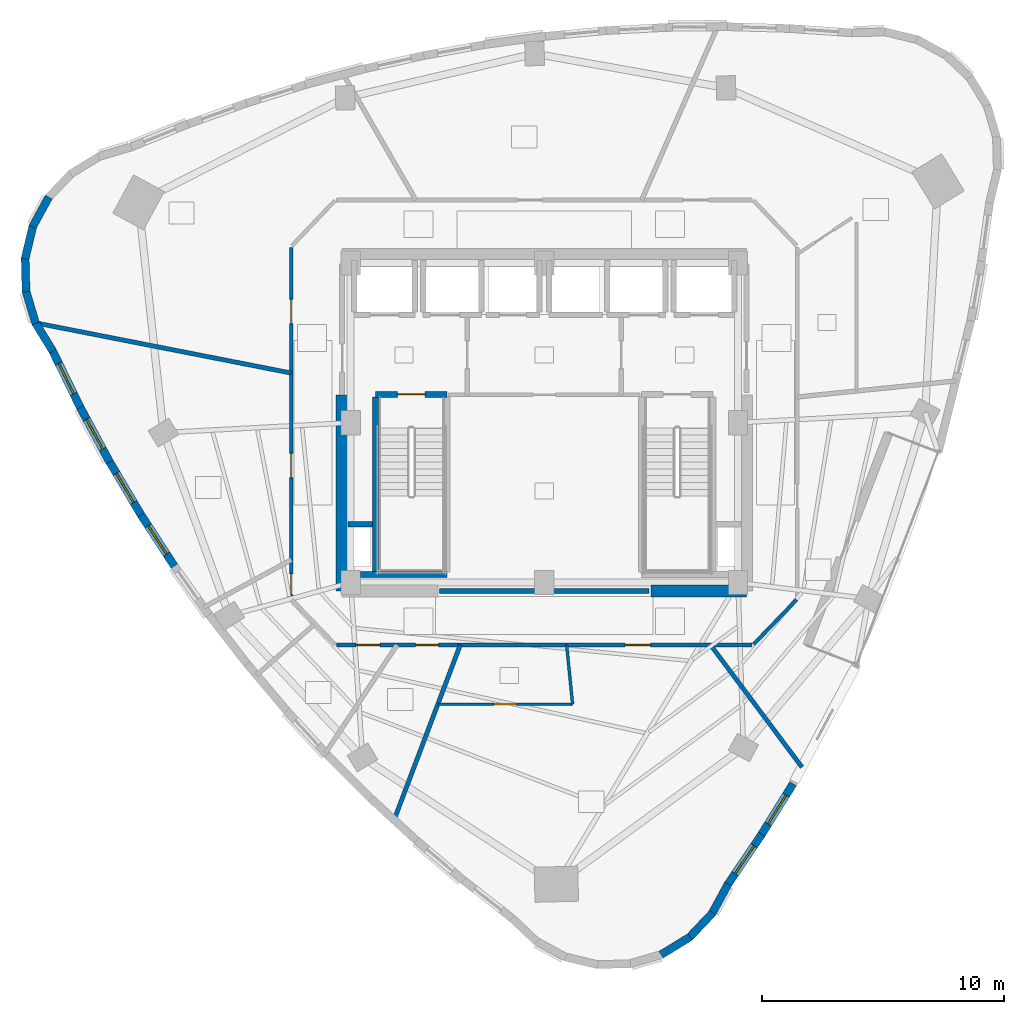
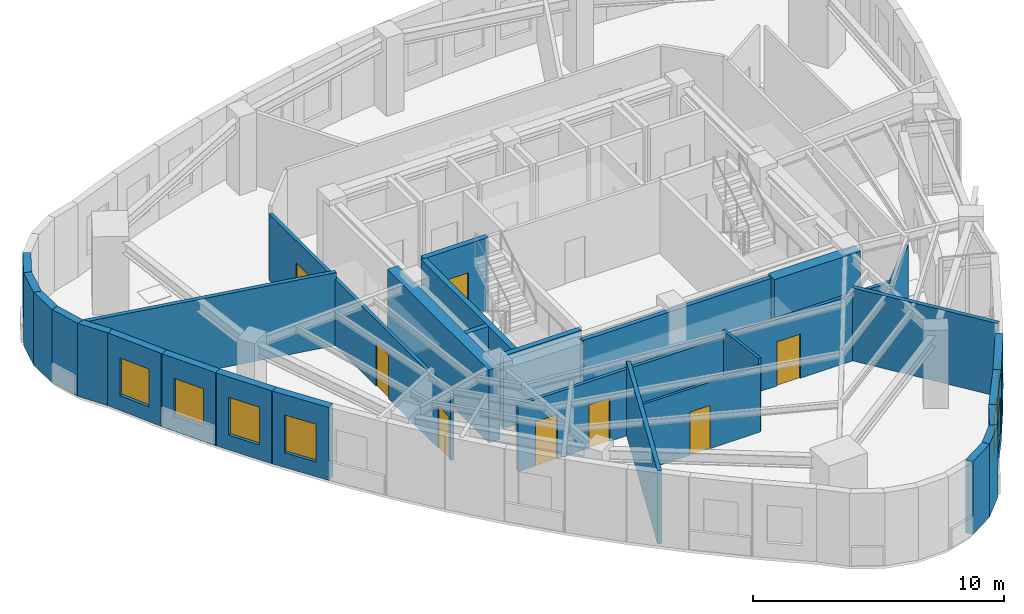
# One storey, part 4 of 10: 29 walls, 8 doors, 6 windows, 14 openings.
"""IFC4 building model written with IfcOpenShell, lengths in metres."""

import ifcopenshell
import ifcopenshell.guid

model = None  # the IFC model being written
_history = None  # IfcOwnerHistory: only IFC2X3 demands one
_inside = {}  # id of a spatial element -> (the spatial element, [elements in it])
_under = {}  # id of a project, library or spatial element -> (it, [spatial elements below it])
_declared = {}  # id of a project -> (the project, [libraries it declares])
_typed = {}  # id of a type object -> (the type object, [elements of that type])
_made_of = {}  # id of a material, layer set ... -> (it, [elements and type objects made of it])


def new_model(schema):
    """Start an empty IFC model of exactly this schema.

    Asked for "IFC4X3", IfcOpenShell would pick the latest addendum, in which some entities
    have other attributes; the version numbers below select the first issue.
    IFC2X3 requires an IfcOwnerHistory on every rooted entity: one is made here for all.
    """
    global model, _history
    if schema == "IFC4X3":
        model = ifcopenshell.file(schema_version=(4, 3, 0, 0))
    else:
        model = ifcopenshell.file(schema=schema)
    _inside.clear()
    _under.clear()
    _declared.clear()
    _typed.clear()
    _made_of.clear()
    _history = None
    if model.schema == "IFC2X3":
        org = make("IfcOrganization", Name="unknown")
        user = make(
            "IfcPersonAndOrganization",
            ThePerson=make("IfcPerson", FamilyName="unknown"),
            TheOrganization=org,
        )
        app = make(
            "IfcApplication",
            ApplicationDeveloper=org,
            Version="unknown",
            ApplicationFullName="unknown",
            ApplicationIdentifier="unknown",
        )
        _history = make(
            "IfcOwnerHistory",
            OwningUser=user,
            OwningApplication=app,
            ChangeAction="ADDED",
            CreationDate=0,
        )
    return model


def make(cls, **values):
    """One entity of the class cls with the attributes given. An attribute that is None is left unset."""
    return model.create_entity(
        cls, **{name: value for name, value in values.items() if value is not None}
    )


def rooted(cls, **values):
    """An entity with a GlobalId (a new one), such as an element, a storey or a relation."""
    return make(cls, GlobalId=ifcopenshell.guid.new(), OwnerHistory=_history, **values)


def si_unit(unit_type, name, prefix=None):
    """IfcSIUnit, for example si_unit("LENGTHUNIT", "METRE", prefix="MILLI")."""
    return make("IfcSIUnit", UnitType=unit_type, Prefix=prefix, Name=name)


def assignment(units):
    """IfcUnitAssignment: the units of a project."""
    return None if units is None else make("IfcUnitAssignment", Units=units)


def point(xyz):
    """IfcCartesianPoint."""
    return None if xyz is None else make("IfcCartesianPoint", Coordinates=xyz)


def direction(xyz):
    """IfcDirection."""
    return None if xyz is None else make("IfcDirection", DirectionRatios=xyz)


def frame(location, z_axis=None, x_axis=None):
    """IfcAxis2Placement3D, a coordinate frame: its origin and axes. An axis left out is left unset."""
    return make(
        "IfcAxis2Placement3D",
        Location=point(location),
        Axis=direction(z_axis),
        RefDirection=direction(x_axis),
    )


def frame_2d(location, x_axis=None):
    """IfcAxis2Placement2D, a coordinate frame in the plane: its origin and x axis."""
    return make(
        "IfcAxis2Placement2D", Location=point(location), RefDirection=direction(x_axis)
    )


def origin():
    """The frame at (0, 0, 0) with its axes left unset."""
    return frame((0.0, 0.0, 0.0))


def place(relative_to, where):
    """IfcLocalPlacement: puts the frame where relative to a parent placement (None: the world)."""
    return make(
        "IfcLocalPlacement", PlacementRelTo=relative_to, RelativePlacement=where
    )


def context(
    kind, dimensions, precision=None, world=None, true_north=None, identifier=None
):
    """IfcGeometricRepresentationContext, for example the 3D "Model" context."""
    return make(
        "IfcGeometricRepresentationContext",
        ContextIdentifier=identifier,
        ContextType=kind,
        CoordinateSpaceDimension=dimensions,
        Precision=precision,
        WorldCoordinateSystem=world,
        TrueNorth=true_north,
    )


def subcontext(parent, identifier, kind, view, scale=None):
    """IfcGeometricRepresentationSubContext, for example "Body" below "Model"."""
    return make(
        "IfcGeometricRepresentationSubContext",
        ContextIdentifier=identifier,
        ContextType=kind,
        ParentContext=parent,
        TargetScale=scale,
        TargetView=view,
    )


def project(units=None, contexts=None):
    """IfcProject with its units and contexts."""
    return rooted(
        "IfcProject",
        Name="project",
        RepresentationContexts=contexts,
        UnitsInContext=assignment(units),
    )


def spatial(cls, under=None, at=None, **own):
    """A site, building, storey or space (cls), placed at a placement, below another one or the project."""
    s = rooted(cls, ObjectPlacement=at, **own)
    if under is not None:
        _under.setdefault(under.id(), (under, []))[1].append(s)
    return s


def profile(cls, at=None, kind="AREA", **sizes):
    """A parametric profile (cls). Its sizes go by their IFC names, for example OverallWidth=200.0."""
    return make(cls, ProfileType=kind, Position=at, **sizes)


def rectangle(**sizes):
    """IfcRectangleProfileDef."""
    return profile("IfcRectangleProfileDef", **sizes)


def extrude(swept, where, along, depth):
    """IfcExtrudedAreaSolid: the profile swept, set in the frame where, extruded along a direction by depth."""
    return make(
        "IfcExtrudedAreaSolid",
        SweptArea=swept,
        Position=where,
        ExtrudedDirection=direction(along),
        Depth=depth,
    )


def shape(context_of_items, identifier, shape_type, items):
    """IfcShapeRepresentation: the items that make up one representation, for example the "Body"."""
    return make(
        "IfcShapeRepresentation",
        ContextOfItems=context_of_items,
        RepresentationIdentifier=identifier,
        RepresentationType=shape_type,
        Items=items,
    )


def material(Name=None, Category=None):
    """IfcMaterial."""
    return make("IfcMaterial", Name=Name, Category=Category)


def layer(
    of_material, thickness, ventilated=None, Name=None, Category=None, Priority=None
):
    """IfcMaterialLayer: one layer of a wall or slab, of a material (None: an air gap)."""
    return make(
        "IfcMaterialLayer",
        Material=of_material,
        LayerThickness=thickness,
        IsVentilated=ventilated,
        Name=Name,
        Category=Category,
        Priority=Priority,
    )


def layer_set(layers, Name=None):
    """IfcMaterialLayerSet."""
    return make("IfcMaterialLayerSet", MaterialLayers=layers, LayerSetName=Name)


def made_of(thing, what):
    """Note that an element or type object is made of a material, layer set ...; save() writes the relation."""
    if what is not None:
        _made_of.setdefault(what.id(), (what, []))[1].append(thing)
    return thing


def type_object(cls, material=None, **own):
    """A type object (cls), such as IfcWallType, which elements share."""
    return made_of(rooted(cls, **own), material)


def element(
    cls,
    number,
    at=None,
    inside=None,
    cuts=None,
    type_object=None,
    material=None,
    context=None,
    identifier="Body",
    shape_type=None,
    held_by="IfcProductDefinitionShape",
    body=None,
    shapes=None,
    **own,
):
    """One element of the class cls, such as IfcWall. Its Tag is "e" and its number.

    at: its placement. inside: the storey or other place that contains it. cuts: it is an
    opening in that element (IfcRelVoidsElement). A single representation is given by context,
    identifier, shape_type and body (its items); several are given by shapes. held_by: the class
    of the entity that holds the representations. save() writes the other relations.
    """
    e = rooted(cls, Tag="e%d" % number, ObjectPlacement=at, **own)
    if body is not None:
        shapes = [shape(context, identifier, shape_type, body)]
    if shapes is not None:
        e.Representation = make(held_by, Representations=shapes)
    if inside is not None:
        _inside.setdefault(inside.id(), (inside, []))[1].append(e)
    if cuts is not None:
        rooted(
            "IfcRelVoidsElement", RelatingBuildingElement=cuts, RelatedOpeningElement=e
        )
    if type_object is not None:
        _typed.setdefault(type_object.id(), (type_object, []))[1].append(e)
    return made_of(e, material)


def fill(opening, filler):
    """IfcRelFillsElement: the door or window that sits in an opening."""
    return rooted(
        "IfcRelFillsElement",
        RelatingOpeningElement=opening,
        RelatedBuildingElement=filler,
    )


def aggregate(whole, parts):
    """IfcRelAggregates: a whole, such as a stair, and the parts it consists of."""
    return rooted("IfcRelAggregates", RelatingObject=whole, RelatedObjects=parts)


def save(model, path):
    """Write the relations noted so far, then the file.

    IfcRelAggregates (storeys below a building ...), IfcRelContainedInSpatialStructure (elements
    in a storey), IfcRelDefinesByType, IfcRelAssociatesMaterial and IfcRelDeclares: one each for
    every whole, place, type object, material and project.
    """
    for whole, parts in _under.values():
        aggregate(whole, parts)
    for where, things in _inside.values():
        rooted(
            "IfcRelContainedInSpatialStructure",
            RelatedElements=things,
            RelatingStructure=where,
        )
    for kind, things in _typed.values():
        rooted("IfcRelDefinesByType", RelatedObjects=things, RelatingType=kind)
    for what, things in _made_of.values():
        rooted("IfcRelAssociatesMaterial", RelatedObjects=things, RelatingMaterial=what)
    for by, libraries in _declared.values():
        rooted("IfcRelDeclares", RelatingContext=by, RelatedDefinitions=libraries)
    model.write(path)


model = new_model("IFC4")

# Units and contexts
model_context = context("Model", 3, precision=1e-05, world=origin(), true_north=direction((0.0, 1.0)))
body_context = subcontext(model_context, "Body", "Model", "MODEL_VIEW")
ifc_project = project(units=[si_unit("LENGTHUNIT", "METRE"), si_unit("AREAUNIT", "SQUARE_METRE"), si_unit("VOLUMEUNIT", "CUBIC_METRE"), si_unit("PLANEANGLEUNIT", "RADIAN"), si_unit("MASSUNIT", "GRAM", prefix="KILO")], contexts=[model_context])

# Site, building, storey
site_placement = place(None, origin())
site = spatial("IfcSite", under=ifc_project, at=site_placement, CompositionType="ELEMENT")
building_placement = place(site_placement, origin())
building = spatial("IfcBuilding", under=site, at=building_placement, Name="Ndelora Gate Hotel", CompositionType="ELEMENT")
storey_placement = place(building_placement, frame((0.0, 0.0, 239.75)))
storey = spatial("IfcBuildingStorey", under=building, at=storey_placement, Name="L60", CompositionType="ELEMENT", Elevation=239.75)

# Walls
ifc_material_1 = material(Name="Acoustic Double-Stud Gypsum Assembly", Category="gypsum")
ifc_layer_1 = layer(ifc_material_1, 0.179931640625)
ifc_layer_set_1 = layer_set([ifc_layer_1], Name="Acoustic Double-Stud Gypsum Assembly")
wall_type_1 = type_object("IfcWallType", Name="WL-ACOUST-180", PredefinedType="PARTITIONING", material=ifc_layer_set_1)
wall_1_placement = place(storey_placement, frame((-3.470458984375, -9.179931640625, 0.0), z_axis=(0.0, 0.0, 1.0), x_axis=(-0.353618010817, -0.935389919994, 0.0)))
element("IfcWall", 1, at=wall_1_placement, inside=storey, type_object=wall_type_1, Name="L60 Interior Wall IW-3", PredefinedType="PARTITIONING", context=body_context, shape_type="SweptSolid", body=[
    extrude(rectangle(XDim=7.72900390625, YDim=0.179931640625, at=frame_2d((3.864501953125, 0.0))), origin(), (0.0, 0.0, 1.0), 3.550048828125),
])
wall_2_placement = place(storey_placement, frame((6.866943359375, -9.179931640625, 0.0), z_axis=(0.0, 0.0, 1.0), x_axis=(0.598983265995, -0.800761541945, 0.0)))
element("IfcWall", 2, at=wall_2_placement, inside=storey, type_object=wall_type_1, Name="L60 Interior Wall IW-3", PredefinedType="PARTITIONING", context=body_context, shape_type="SweptSolid", body=[
    extrude(rectangle(XDim=6.3037109375, YDim=0.179931640625, at=frame_2d((3.15185546875, 0.0))), origin(), (0.0, 0.0, 1.0), 3.550048828125),
])
wall_3_placement = place(storey_placement, frame((-10.449951171875, 2.0498046875, 0.0), z_axis=(0.0, 0.0, 1.0), x_axis=(-0.981304682167, 0.192460699252, 0.0)))
element("IfcWall", 3, at=wall_3_placement, inside=storey, type_object=wall_type_1, Name="L60 Interior Wall IW-3", PredefinedType="PARTITIONING", context=body_context, shape_type="SweptSolid", body=[
    extrude(rectangle(XDim=10.767333984375, YDim=0.179931640625, at=frame_2d((5.3837890625, 0.0))), origin(), (0.0, 0.0, 1.0), 3.550048828125),
])
ifc_material_2 = material(Name="Clay Brick Masonry", Category="masonry")
ifc_layer_2 = layer(ifc_material_2, 0.330078125)
ifc_layer_set_2 = layer_set([ifc_layer_2], Name="Clay Brick Masonry")
wall_type_2 = type_object("IfcWallType", Name="WL-BRICK-330", PredefinedType="SOLIDWALL", material=ifc_layer_set_2)
wall_4_placement = place(storey_placement, frame((-21.13720703125, 8.08740234375, 0.0), z_axis=(0.0, 0.0, 1.0), x_axis=(0.477076549129, 0.878861744685, 0.0)))
element("IfcWall", 4, at=wall_4_placement, inside=storey, type_object=wall_type_2, Name="L60 Tower Brick Pier-and-Spandrel Wall TWR-4", PredefinedType="SOLIDWALL", context=body_context, shape_type="SweptSolid", body=[
    extrude(rectangle(XDim=1.4072265625, YDim=0.330078125, at=frame_2d((0.70361328125, 0.0))), origin(), (0.0, 0.0, 1.0), 3.550048828125),
])
for number, where, z_axis, x_axis, name in (
    (5, (-21.447998046875, 6.764892578125, 0.0), (0.0, 0.0, 1.0), (0.233464793771, 0.972365255482, 0.0), "L60 Tower Brick Pier-and-Spandrel Wall TWR-5"),
    (6, (-21.406005859375, 5.4072265625, 0.0), (0.0, 0.0, 1.0), (-0.02619264168, 0.999656913907, 0.0), "L60 Tower Brick Pier-and-Spandrel Wall TWR-6"),
):
    element("IfcWall", number, at=place(storey_placement, frame(where, z_axis=z_axis, x_axis=x_axis)), inside=storey, type_object=wall_type_2, Name=name, PredefinedType="SOLIDWALL", context=body_context, shape_type="SweptSolid", body=[
        extrude(rectangle(XDim=1.407470703125, YDim=0.330078125, at=frame_2d((0.70361328125, 0.0))), origin(), (0.0, 0.0, 1.0), 3.550048828125),
    ])
wall_5_placement = place(storey_placement, frame((-21.013916015625, 4.106689453125, 0.0), z_axis=(0.0, 0.0, 1.0), x_axis=(-0.284100140437, 0.958794613149, 0.0)))
element("IfcWall", 7, at=wall_5_placement, inside=storey, type_object=wall_type_2, Name="L60 Tower Brick Pier-and-Spandrel Wall TWR-7", PredefinedType="SOLIDWALL", context=body_context, shape_type="SweptSolid", body=[
    extrude(rectangle(XDim=1.40771484375, YDim=0.330078125, at=frame_2d((0.703857421875, 0.0))), origin(), (0.0, 0.0, 1.0), 3.550048828125),
])
wall_6_placement = place(storey_placement, frame((-20.298828125, 2.951904296875, 0.0), z_axis=(0.0, 0.0, 1.0), x_axis=(-0.522431898615, 0.852681013809, 0.0)))
element("IfcWall", 8, at=wall_6_placement, inside=storey, type_object=wall_type_2, Name="L60 Tower Brick Pier-and-Spandrel Wall TWR-8", PredefinedType="SOLIDWALL", context=body_context, shape_type="SweptSolid", body=[
    extrude(rectangle(XDim=1.407470703125, YDim=0.330078125, at=frame_2d((0.70361328125, 0.0))), origin(), (0.0, 0.0, 1.0), 3.550048828125),
])

# Wall, opening, window
wall_7_placement = place(storey_placement, frame((-19.1689453125, 0.630615234375, 0.0), z_axis=(0.0, 0.0, 1.0), x_axis=(-0.438509531978, 0.898726538144, 0.0)))
wall_7 = element("IfcWall", 9, at=wall_7_placement, inside=storey, type_object=wall_type_2, Name="L60 Tower Brick Pier-and-Spandrel Wall TWR-9", PredefinedType="SOLIDWALL", context=body_context, shape_type="SweptSolid", body=[
    extrude(rectangle(XDim=2.6318359375, YDim=0.330078125, at=frame_2d((1.31591796875, 0.0))), origin(), (0.0, 0.0, 1.0), 3.550048828125),
])
opening_1_placement = place(wall_7_placement, frame((0.615966796875, 0.0, 0.719970703125)))
opening_1 = element("IfcOpeningElement", 10, at=opening_1_placement, cuts=wall_7, Name="Opening W02", PredefinedType="OPENING", context=body_context, shape_type="SweptSolid", body=[
    extrude(rectangle(XDim=1.39990234375, YDim=1.840087890625, at=frame_2d((0.699951171875, 0.919921875))), frame((0.0, 0.175048828125, 0.0), z_axis=(0.0, -1.0, 0.0), x_axis=(1.0, 0.0, 0.0)), (0.0, 0.0, 1.0), 0.35009765625),
])
ifc_material_3 = material(Name="Insulated Low-E Double Glazing in Bronze Aluminium Frame", Category="aluminium")
window_type = type_object("IfcWindowType", Name="WN-DEEP-1400", PartitioningType="SINGLE_PANEL", PredefinedType="WINDOW", material=ifc_material_3)
window_1_placement = place(opening_1_placement, origin())
window_1 = element("IfcWindow", 11, at=window_1_placement, inside=storey, type_object=window_type, Name="L60 Deep-Set Brick-Pier Window W02", OverallHeight=1.840087890625, OverallWidth=1.39990234375, PartitioningType="SINGLE_PANEL", PredefinedType="WINDOW", context=body_context, shape_type="SweptSolid", body=[
    extrude(rectangle(XDim=1.39990234375, YDim=1.840087890625, at=frame_2d((0.699951171875, 0.919921875))), frame((0.0, 0.030029296875, 0.0), z_axis=(0.0, -1.0, 0.0), x_axis=(1.0, 0.0, 0.0)), (0.0, 0.0, 1.0), 0.06005859375),
])
fill(opening_1, window_1)

wall_8_placement = place(storey_placement, frame((-17.9541015625, -1.622802734375, 0.0), z_axis=(0.0, 0.0, 1.0), x_axis=(-0.474244845608, 0.880392995437, 0.0)))
wall_8 = element("IfcWall", 12, at=wall_8_placement, inside=storey, type_object=wall_type_2, Name="L60 Tower Brick Pier-and-Spandrel Wall TWR-10", PredefinedType="SOLIDWALL", context=body_context, shape_type="SweptSolid", body=[
    extrude(rectangle(XDim=2.610107421875, YDim=0.330078125, at=frame_2d((1.30517578125, 0.0))), origin(), (0.0, 0.0, 1.0), 3.550048828125),
])
opening_2_placement = place(wall_8_placement, frame((0.60498046875, 0.0, 0.719970703125)))
opening_2 = element("IfcOpeningElement", 13, at=opening_2_placement, cuts=wall_8, Name="Opening W02", PredefinedType="OPENING", context=body_context, shape_type="SweptSolid", body=[
    extrude(rectangle(XDim=1.39990234375, YDim=1.840087890625, at=frame_2d((0.699951171875, 0.919921875))), frame((0.0, 0.175048828125, 0.0), z_axis=(0.0, -1.0, 0.0), x_axis=(1.0, 0.0, 0.0)), (0.0, 0.0, 1.0), 0.35009765625),
])
window_2_placement = place(opening_2_placement, origin())
window_2 = element("IfcWindow", 14, at=window_2_placement, inside=storey, type_object=window_type, Name="L60 Deep-Set Brick-Pier Window W02", OverallHeight=1.840087890625, OverallWidth=1.39990234375, PartitioningType="SINGLE_PANEL", PredefinedType="WINDOW", context=body_context, shape_type="SweptSolid", body=[
    extrude(rectangle(XDim=1.39990234375, YDim=1.840087890625, at=frame_2d((0.699951171875, 0.919921875))), frame((0.0, 0.030029296875, 0.0), z_axis=(0.0, -1.0, 0.0), x_axis=(1.0, 0.0, 0.0)), (0.0, 0.0, 1.0), 0.06005859375),
])
fill(opening_2, window_2)

wall_9_placement = place(storey_placement, frame((-16.6572265625, -3.809814453125, 0.0), z_axis=(0.0, 0.0, 1.0), x_axis=(-0.509737856677, 0.860329772512, 0.0)))
wall_9 = element("IfcWall", 15, at=wall_9_placement, inside=storey, type_object=wall_type_2, Name="L60 Tower Brick Pier-and-Spandrel Wall TWR-11", PredefinedType="SOLIDWALL", context=body_context, shape_type="SweptSolid", body=[
    extrude(rectangle(XDim=2.592529296875, YDim=0.330078125, at=frame_2d((1.29638671875, 0.0))), origin(), (0.0, 0.0, 1.0), 3.550048828125),
])
opening_3_placement = place(wall_9_placement, frame((0.59619140625, 0.0, 0.719970703125)))
opening_3 = element("IfcOpeningElement", 16, at=opening_3_placement, cuts=wall_9, Name="Opening W02", PredefinedType="OPENING", context=body_context, shape_type="SweptSolid", body=[
    extrude(rectangle(XDim=1.39990234375, YDim=1.840087890625, at=frame_2d((0.699951171875, 0.919921875))), frame((0.0, 0.175048828125, 0.0), z_axis=(0.0, -1.0, 0.0), x_axis=(1.0, 0.0, 0.0)), (0.0, 0.0, 1.0), 0.35009765625),
])
window_3_placement = place(opening_3_placement, origin())
window_3 = element("IfcWindow", 17, at=window_3_placement, inside=storey, type_object=window_type, Name="L60 Deep-Set Brick-Pier Window W02", OverallHeight=1.840087890625, OverallWidth=1.39990234375, PartitioningType="SINGLE_PANEL", PredefinedType="WINDOW", context=body_context, shape_type="SweptSolid", body=[
    extrude(rectangle(XDim=1.39990234375, YDim=1.840087890625, at=frame_2d((0.699951171875, 0.919921875))), frame((0.0, 0.030029296875, 0.0), z_axis=(0.0, -1.0, 0.0), x_axis=(1.0, 0.0, 0.0)), (0.0, 0.0, 1.0), 0.06005859375),
])
fill(opening_3, window_3)

wall_10_placement = place(storey_placement, frame((-15.2783203125, -5.930419921875, 0.0), z_axis=(0.0, 0.0, 1.0), x_axis=(-0.544788727903, 0.838573337252, 0.0)))
wall_10 = element("IfcWall", 18, at=wall_10_placement, inside=storey, type_object=wall_type_2, Name="L60 Tower Brick Pier-and-Spandrel Wall TWR-12", PredefinedType="SOLIDWALL", context=body_context, shape_type="SweptSolid", body=[
    extrude(rectangle(XDim=2.57958984375, YDim=0.330078125, at=frame_2d((1.289794921875, 0.0))), origin(), (0.0, 0.0, 1.0), 3.550048828125),
])
opening_4_placement = place(wall_10_placement, frame((0.589599609375, 0.0, 0.719970703125)))
opening_4 = element("IfcOpeningElement", 19, at=opening_4_placement, cuts=wall_10, Name="Opening W02", PredefinedType="OPENING", context=body_context, shape_type="SweptSolid", body=[
    extrude(rectangle(XDim=1.39990234375, YDim=1.840087890625, at=frame_2d((0.699951171875, 0.919921875))), frame((0.0, 0.175048828125, 0.0), z_axis=(0.0, -1.0, 0.0), x_axis=(1.0, 0.0, 0.0)), (0.0, 0.0, 1.0), 0.35009765625),
])
window_4_placement = place(opening_4_placement, origin())
window_4 = element("IfcWindow", 20, at=window_4_placement, inside=storey, type_object=window_type, Name="L60 Deep-Set Brick-Pier Window W02", OverallHeight=1.840087890625, OverallWidth=1.39990234375, PartitioningType="SINGLE_PANEL", PredefinedType="WINDOW", context=body_context, shape_type="SweptSolid", body=[
    extrude(rectangle(XDim=1.39990234375, YDim=1.840087890625, at=frame_2d((0.699951171875, 0.919921875))), frame((0.0, 0.030029296875, 0.0), z_axis=(0.0, -1.0, 0.0), x_axis=(1.0, 0.0, 0.0)), (0.0, 0.0, 1.0), 0.06005859375),
])
fill(opening_4, window_4)

# Walls
wall_11_placement = place(storey_placement, frame((6.020263671875, -21.24169921875, 0.0), z_axis=(0.0, 0.0, 1.0), x_axis=(-0.852603745029, -0.522557991004, 0.0)))
element("IfcWall", 21, at=wall_11_placement, inside=storey, type_object=wall_type_2, Name="L60 Tower Brick Pier-and-Spandrel Wall TWR-26", PredefinedType="SOLIDWALL", context=body_context, shape_type="SweptSolid", body=[
    extrude(rectangle(XDim=1.40771484375, YDim=0.330078125, at=frame_2d((0.703857421875, 0.0))), origin(), (0.0, 0.0, 1.0), 3.550048828125),
])
wall_12_placement = place(storey_placement, frame((6.950439453125, -20.252197265625, 0.0), z_axis=(0.0, 0.0, 1.0), x_axis=(-0.688389184298, -0.725341527104, 0.0)))
element("IfcWall", 22, at=wall_12_placement, inside=storey, type_object=wall_type_2, Name="L60 Tower Brick Pier-and-Spandrel Wall TWR-27", PredefinedType="SOLIDWALL", context=body_context, shape_type="SweptSolid", body=[
    extrude(rectangle(XDim=1.4072265625, YDim=0.330078125, at=frame_2d((0.70361328125, 0.0))), origin(), (0.0, 0.0, 1.0), 3.550048828125),
])
wall_13_placement = place(storey_placement, frame((7.593017578125, -19.05517578125, 0.0), z_axis=(0.0, 0.0, 1.0), x_axis=(-0.477137792558, -0.878828496871, 0.0)))
element("IfcWall", 23, at=wall_13_placement, inside=storey, type_object=wall_type_2, Name="L60 Tower Brick Pier-and-Spandrel Wall TWR-28", PredefinedType="SOLIDWALL", context=body_context, shape_type="SweptSolid", body=[
    extrude(rectangle(XDim=1.40771484375, YDim=0.330078125, at=frame_2d((0.703857421875, 0.0))), origin(), (0.0, 0.0, 1.0), 3.550048828125),
])

# Wall, opening, window
wall_14_placement = place(storey_placement, frame((8.982666015625, -17.00244140625, 0.0), z_axis=(0.0, 0.0, 1.0), x_axis=(-0.559835914703, -0.828603492998, 0.0)))
wall_14 = element("IfcWall", 24, at=wall_14_placement, inside=storey, type_object=wall_type_2, Name="L60 Tower Brick Pier-and-Spandrel Wall TWR-29", PredefinedType="SOLIDWALL", context=body_context, shape_type="SweptSolid", body=[
    extrude(rectangle(XDim=2.52880859375, YDim=0.330078125, at=frame_2d((1.264404296875, 0.0))), origin(), (0.0, 0.0, 1.0), 3.550048828125),
])
opening_5_placement = place(wall_14_placement, frame((0.564453125, 0.0, 0.719970703125)))
opening_5 = element("IfcOpeningElement", 25, at=opening_5_placement, cuts=wall_14, Name="Opening W02", PredefinedType="OPENING", context=body_context, shape_type="SweptSolid", body=[
    extrude(rectangle(XDim=1.39990234375, YDim=1.840087890625, at=frame_2d((0.699951171875, 0.919921875))), frame((0.0, 0.175048828125, 0.0), z_axis=(0.0, -1.0, 0.0), x_axis=(1.0, 0.0, 0.0)), (0.0, 0.0, 1.0), 0.35009765625),
])
window_5_placement = place(opening_5_placement, origin())
window_5 = element("IfcWindow", 26, at=window_5_placement, inside=storey, type_object=window_type, Name="L60 Deep-Set Brick-Pier Window W02", OverallHeight=1.840087890625, OverallWidth=1.39990234375, PartitioningType="SINGLE_PANEL", PredefinedType="WINDOW", context=body_context, shape_type="SweptSolid", body=[
    extrude(rectangle(XDim=1.39990234375, YDim=1.840087890625, at=frame_2d((0.699951171875, 0.919921875))), frame((0.0, 0.030029296875, 0.0), z_axis=(0.0, -1.0, 0.0), x_axis=(1.0, 0.0, 0.0)), (0.0, 0.0, 1.0), 0.06005859375),
])
fill(opening_5, window_5)

wall_15_placement = place(storey_placement, frame((10.27880859375, -14.9130859375, 0.0), z_axis=(0.0, 0.0, 1.0), x_axis=(-0.527573608848, -0.84950932146, 0.0)))
wall_15 = element("IfcWall", 27, at=wall_15_placement, inside=storey, type_object=wall_type_2, Name="L60 Tower Brick Pier-and-Spandrel Wall TWR-30", PredefinedType="SOLIDWALL", context=body_context, shape_type="SweptSolid", body=[
    extrude(rectangle(XDim=2.508544921875, YDim=0.330078125, at=frame_2d((1.25439453125, 0.0))), origin(), (0.0, 0.0, 1.0), 3.550048828125),
])
opening_6_placement = place(wall_15_placement, frame((0.554443359375, 0.0, 0.719970703125)))
opening_6 = element("IfcOpeningElement", 28, at=opening_6_placement, cuts=wall_15, Name="Opening W02", PredefinedType="OPENING", context=body_context, shape_type="SweptSolid", body=[
    extrude(rectangle(XDim=1.39990234375, YDim=1.840087890625, at=frame_2d((0.699951171875, 0.919921875))), frame((0.0, 0.175048828125, 0.0), z_axis=(0.0, -1.0, 0.0), x_axis=(1.0, 0.0, 0.0)), (0.0, 0.0, 1.0), 0.35009765625),
])
window_6_placement = place(opening_6_placement, origin())
window_6 = element("IfcWindow", 29, at=window_6_placement, inside=storey, type_object=window_type, Name="L60 Deep-Set Brick-Pier Window W02", OverallHeight=1.840087890625, OverallWidth=1.39990234375, PartitioningType="SINGLE_PANEL", PredefinedType="WINDOW", context=body_context, shape_type="SweptSolid", body=[
    extrude(rectangle(XDim=1.39990234375, YDim=1.840087890625, at=frame_2d((0.699951171875, 0.919921875))), frame((0.0, 0.030029296875, 0.0), z_axis=(0.0, -1.0, 0.0), x_axis=(1.0, 0.0, 0.0)), (0.0, 0.0, 1.0), 0.06005859375),
])
fill(opening_6, window_6)

# Walls
ifc_material_4 = material(Name="Concrete C50/60", Category="concrete")
ifc_layer_3 = layer(ifc_material_4, 0.5)
ifc_layer_set_3 = layer_set([ifc_layer_3], Name="Concrete C50/60")
wall_type_3 = type_object("IfcWallType", Name="WL-CORE-500", PredefinedType="SHEAR", material=ifc_layer_set_3)
wall_16_placement = place(storey_placement, frame((4.39990234375, -6.949951171875, 0.0), z_axis=(0.0, 0.0, 1.0), x_axis=(1.0, 0.0, 0.0)))
element("IfcWall", 30, at=wall_16_placement, inside=storey, type_object=wall_type_3, Name="L60 Core Shear Wall S-E", PredefinedType="SHEAR", context=body_context, shape_type="SweptSolid", body=[
    extrude(rectangle(XDim=3.9501953125, YDim=0.5, at=frame_2d((1.97509765625, 0.0))), origin(), (0.0, 0.0, 1.0), 3.550048828125),
])
wall_17_placement = place(storey_placement, frame((-8.35009765625, -6.949951171875, 0.0), z_axis=(0.0, 0.0, 1.0), x_axis=(0.0, 1.0, 0.0)))
element("IfcWall", 31, at=wall_17_placement, inside=storey, type_object=wall_type_3, Name="L60 Core Shear Wall W", PredefinedType="SHEAR", context=body_context, shape_type="SweptSolid", body=[
    extrude(rectangle(XDim=8.099853515625, YDim=0.5, at=frame_2d((4.0498046875, 0.0))), origin(), (0.0, 0.0, 1.0), 3.550048828125),
])
ifc_material_5 = material(Name="Concrete C40/50", Category="concrete")
ifc_layer_4 = layer(ifc_material_5, 0.199951171875)
ifc_layer_set_4 = layer_set([ifc_layer_4], Name="Concrete C40/50")
wall_type_4 = type_object("IfcWallType", Name="WL-FIRE-200", PredefinedType="PARTITIONING", material=ifc_layer_set_4)
wall_18_placement = place(storey_placement, frame((-4.320068359375, -6.949951171875, 0.0), z_axis=(0.0, 0.0, 1.0), x_axis=(1.0, 0.0, 0.0)))
element("IfcWall", 32, at=wall_18_placement, inside=storey, type_object=wall_type_4, Name="L60 Interior Wall IW-2", PredefinedType="PARTITIONING", context=body_context, shape_type="SweptSolid", body=[
    extrude(rectangle(XDim=8.64013671875, YDim=0.199951171875, at=frame_2d((4.320068359375, 0.0))), origin(), (0.0, 0.0, 1.0), 3.550048828125),
])

# Wall, openings, doors
ifc_material_6 = material(Name="Fire-Rated Gypsum Stud Partition", Category="gypsum")
ifc_layer_5 = layer(ifc_material_6, 0.14990234375)
ifc_layer_set_5 = layer_set([ifc_layer_5], Name="Fire-Rated Gypsum Stud Partition")
wall_type_5 = type_object("IfcWallType", Name="WL-PART-150", PredefinedType="PARTITIONING", material=ifc_layer_set_5)
wall_19_placement = place(storey_placement, frame((8.580078125, -9.179931640625, 0.0), z_axis=(0.0, 0.0, 1.0), x_axis=(-1.0, 0.0, 0.0)))
wall_19 = element("IfcWall", 33, at=wall_19_placement, inside=storey, type_object=wall_type_5, Name="L60 Interior Wall IW-5", PredefinedType="PARTITIONING", context=body_context, shape_type="SweptSolid", body=[
    extrude(rectangle(XDim=17.16015625, YDim=0.14990234375, at=frame_2d((8.580078125, 0.0))), origin(), (0.0, 0.0, 1.0), 3.22998046875),
])
opening_7_placement = place(wall_19_placement, frame((15.36083984375, 0.0, 0.0)))
opening_7 = element("IfcOpeningElement", 34, at=opening_7_placement, cuts=wall_19, Name="Opening D01", PredefinedType="OPENING", context=body_context, shape_type="SweptSolid", body=[
    extrude(rectangle(XDim=1.0, YDim=2.14990234375, at=frame_2d((0.5, 1.074951171875))), frame((0.0, 0.0849609375, 0.0), z_axis=(0.0, -1.0, 0.0), x_axis=(1.0, 0.0, 0.0)), (0.0, 0.0, 1.0), 0.169921875),
])
opening_8_placement = place(wall_19_placement, frame((12.947021484375, 0.0, 0.0)))
opening_8 = element("IfcOpeningElement", 35, at=opening_8_placement, cuts=wall_19, Name="Opening D05", PredefinedType="OPENING", context=body_context, shape_type="SweptSolid", body=[
    extrude(rectangle(XDim=0.949951171875, YDim=2.10009765625, at=frame_2d((0.47509765625, 1.050048828125))), frame((0.0, 0.0849609375, 0.0), z_axis=(0.0, -1.0, 0.0), x_axis=(1.0, 0.0, 0.0)), (0.0, 0.0, 1.0), 0.169921875),
])
opening_9_placement = place(wall_19_placement, frame((4.184326171875, 0.0, 0.0)))
opening_9 = element("IfcOpeningElement", 36, at=opening_9_placement, cuts=wall_19, Name="Opening D07", PredefinedType="OPENING", context=body_context, shape_type="SweptSolid", body=[
    extrude(rectangle(XDim=1.06005859375, YDim=2.14990234375, at=frame_2d((0.530029296875, 1.074951171875))), frame((0.0, 0.0849609375, 0.0), z_axis=(0.0, -1.0, 0.0), x_axis=(1.0, 0.0, 0.0)), (0.0, 0.0, 1.0), 0.169921875),
])
ifc_material_7 = material(Name="Accessible Restroom Wide-Clearance Door", Category="wood")
door_type_1 = type_object("IfcDoorType", Name="DR-ACC-950", OperationType="SINGLE_SWING_LEFT", PredefinedType="DOOR", material=ifc_material_7)
door_1_placement = place(opening_8_placement, origin())
door_1 = element("IfcDoor", 37, at=door_1_placement, inside=storey, type_object=door_type_1, Name="L60 Accessible WC Entrance Door", OperationType="SINGLE_SWING_RIGHT", OverallHeight=2.10009765625, OverallWidth=0.949951171875, PredefinedType="DOOR", context=body_context, shape_type="SweptSolid", body=[
    extrude(rectangle(XDim=0.949951171875, YDim=2.10009765625, at=frame_2d((0.47509765625, 1.050048828125))), frame((0.0, 0.02490234375, 0.0), z_axis=(0.0, -1.0, 0.0), x_axis=(1.0, 0.0, 0.0)), (0.0, 0.0, 1.0), 0.050048828125),
])
fill(opening_8, door_1)
ifc_material_8 = material(Name="Acoustic Hardwood Guest Entrance Door", Category="wood")
door_type_2 = type_object("IfcDoorType", Name="DR-COR-1000", OperationType="SINGLE_SWING_LEFT", PredefinedType="DOOR", material=ifc_material_8)
door_2_placement = place(opening_7_placement, origin())
door_2 = element("IfcDoor", 38, at=door_2_placement, inside=storey, type_object=door_type_2, Name="L60 Housekeeping and Linen Room Entrance Door", OperationType="SINGLE_SWING_LEFT", OverallHeight=2.14990234375, OverallWidth=1.0, PredefinedType="DOOR", context=body_context, shape_type="SweptSolid", body=[
    extrude(rectangle(XDim=1.0, YDim=2.14990234375, at=frame_2d((0.5, 1.074951171875))), frame((0.0, 0.02490234375, 0.0), z_axis=(0.0, -1.0, 0.0), x_axis=(1.0, 0.0, 0.0)), (0.0, 0.0, 1.0), 0.050048828125),
])
fill(opening_7, door_2)
ifc_material_9 = material(Name="Diplomatic Suite Acoustic Entrance Door", Category="wood")
door_type_3 = type_object("IfcDoorType", Name="DR-SUITE-1060", OperationType="SINGLE_SWING_LEFT", PredefinedType="DOOR", material=ifc_material_9)
door_3_placement = place(opening_9_placement, origin())
door_3 = element("IfcDoor", 39, at=door_3_placement, inside=storey, type_object=door_type_3, Name="L60 Grand Highland Presidential Suite 6301 Entrance Door", OperationType="SINGLE_SWING_RIGHT", OverallHeight=2.14990234375, OverallWidth=1.06005859375, PredefinedType="DOOR", context=body_context, shape_type="SweptSolid", body=[
    extrude(rectangle(XDim=1.06005859375, YDim=2.14990234375, at=frame_2d((0.530029296875, 1.074951171875))), frame((0.0, 0.02490234375, 0.0), z_axis=(0.0, -1.0, 0.0), x_axis=(1.0, 0.0, 0.0)), (0.0, 0.0, 1.0), 0.050048828125),
])
fill(opening_9, door_3)

# Wall
wall_20_placement = place(storey_placement, frame((10.42236328125, -7.308837890625, 0.0), z_axis=(0.0, 0.0, 1.0), x_axis=(-0.693764562202, -0.720201869085, 0.0)))
element("IfcWall", 40, at=wall_20_placement, inside=storey, type_object=wall_type_5, Name="L60 Interior Wall IW-5", PredefinedType="PARTITIONING", context=body_context, shape_type="SweptSolid", body=[
    extrude(rectangle(XDim=2.55810546875, YDim=0.14990234375, at=frame_2d((1.279052734375, 0.0))), origin(), (0.0, 0.0, 1.0), 3.22998046875),
])

# Wall, openings, doors
wall_21_placement = place(storey_placement, frame((-10.449951171875, -7.239990234375, 0.0), z_axis=(0.0, 0.0, 1.0), x_axis=(0.0, 1.0, 0.0)))
wall_21 = element("IfcWall", 41, at=wall_21_placement, inside=storey, type_object=wall_type_5, Name="L60 Interior Wall IW-5", PredefinedType="PARTITIONING", context=body_context, shape_type="SweptSolid", body=[
    extrude(rectangle(XDim=14.47998046875, YDim=0.14990234375, at=frame_2d((7.239990234375, 0.0))), origin(), (0.0, 0.0, 1.0), 3.22998046875),
])
opening_10_placement = place(wall_21_placement, frame((0.139892578125, 0.0, 0.0)))
opening_10 = element("IfcOpeningElement", 42, at=opening_10_placement, cuts=wall_21, Name="Opening D09", PredefinedType="OPENING", context=body_context, shape_type="SweptSolid", body=[
    extrude(rectangle(XDim=0.860107421875, YDim=2.050048828125, at=frame_2d((0.43017578125, 1.02490234375))), frame((0.0, 0.0849609375, 0.0), z_axis=(0.0, -1.0, 0.0), x_axis=(1.0, 0.0, 0.0)), (0.0, 0.0, 1.0), 0.169921875),
])
opening_11_placement = place(wall_21_placement, frame((4.972900390625, 0.0, 0.0)))
opening_11 = element("IfcOpeningElement", 43, at=opening_11_placement, cuts=wall_21, Name="Opening D01", PredefinedType="OPENING", context=body_context, shape_type="SweptSolid", body=[
    extrude(rectangle(XDim=1.0, YDim=2.14990234375, at=frame_2d((0.5, 1.074951171875))), frame((0.0, 0.0849609375, 0.0), z_axis=(0.0, -1.0, 0.0), x_axis=(1.0, 0.0, 0.0)), (0.0, 0.0, 1.0), 0.169921875),
])
opening_12_placement = place(wall_21_placement, frame((11.334716796875, 0.0, 0.0)))
opening_12 = element("IfcOpeningElement", 44, at=opening_12_placement, cuts=wall_21, Name="Opening D01", PredefinedType="OPENING", context=body_context, shape_type="SweptSolid", body=[
    extrude(rectangle(XDim=1.0, YDim=2.14990234375, at=frame_2d((0.5, 1.074951171875))), frame((0.0, 0.0849609375, 0.0), z_axis=(0.0, -1.0, 0.0), x_axis=(1.0, 0.0, 0.0)), (0.0, 0.0, 1.0), 0.169921875),
])
door_4_placement = place(opening_11_placement, origin())
door_4 = element("IfcDoor", 45, at=door_4_placement, inside=storey, type_object=door_type_2, Name="L60 Private Chef Service Kitchen Entrance Door", OperationType="SINGLE_SWING_RIGHT", OverallHeight=2.14990234375, OverallWidth=1.0, PredefinedType="DOOR", context=body_context, shape_type="SweptSolid", body=[
    extrude(rectangle(XDim=1.0, YDim=2.14990234375, at=frame_2d((0.5, 1.074951171875))), frame((0.0, 0.02490234375, 0.0), z_axis=(0.0, -1.0, 0.0), x_axis=(1.0, 0.0, 0.0)), (0.0, 0.0, 1.0), 0.050048828125),
])
fill(opening_11, door_4)
door_5_placement = place(opening_12_placement, origin())
door_5 = element("IfcDoor", 46, at=door_5_placement, inside=storey, type_object=door_type_2, Name="L60 State Banquet Dining Room Entrance Door", OperationType="SINGLE_SWING_RIGHT", OverallHeight=2.14990234375, OverallWidth=1.0, PredefinedType="DOOR", context=body_context, shape_type="SweptSolid", body=[
    extrude(rectangle(XDim=1.0, YDim=2.14990234375, at=frame_2d((0.5, 1.074951171875))), frame((0.0, 0.02490234375, 0.0), z_axis=(0.0, -1.0, 0.0), x_axis=(1.0, 0.0, 0.0)), (0.0, 0.0, 1.0), 0.050048828125),
])
fill(opening_12, door_5)
ifc_material_10 = material(Name="Painted Steel Compact Service Door", Category="steel")
door_type_4 = type_object("IfcDoorType", Name="DR-SER-860", OperationType="SINGLE_SWING_LEFT", PredefinedType="DOOR", material=ifc_material_10)
door_6_placement = place(opening_10_placement, origin())
door_6 = element("IfcDoor", 47, at=door_6_placement, inside=storey, type_object=door_type_4, Name="L60 Female Public Restroom Entrance Door", OperationType="SINGLE_SWING_RIGHT", OverallHeight=2.050048828125, OverallWidth=0.860107421875, PredefinedType="DOOR", context=body_context, shape_type="SweptSolid", body=[
    extrude(rectangle(XDim=0.860107421875, YDim=2.050048828125, at=frame_2d((0.43017578125, 1.02490234375))), frame((0.0, 0.02490234375, 0.0), z_axis=(0.0, -1.0, 0.0), x_axis=(1.0, 0.0, 0.0)), (0.0, 0.0, 1.0), 0.050048828125),
])
fill(opening_10, door_6)

# Walls
ifc_layer_6 = layer(ifc_material_5, 0.219970703125)
ifc_layer_set_6 = layer_set([ifc_layer_6], Name="Concrete C40/50")
wall_type_6 = type_object("IfcWallType", Name="WL-SHAFT-220", PredefinedType="PARTITIONING", material=ifc_layer_set_6)
wall_22_placement = place(storey_placement, frame((-8.10009765625, -4.199951171875, 0.0), z_axis=(0.0, 0.0, 1.0), x_axis=(1.0, 0.0, 0.0)))
element("IfcWall", 48, at=wall_22_placement, inside=storey, type_object=wall_type_6, Name="L60 Interior Wall IW-1", PredefinedType="PARTITIONING", context=body_context, shape_type="SweptSolid", body=[
    extrude(rectangle(XDim=1.010009765625, YDim=0.219970703125, at=frame_2d((0.5048828125, 0.0))), origin(), (0.0, 0.0, 1.0), 3.550048828125),
])
ifc_layer_7 = layer(ifc_material_4, 0.239990234375)
ifc_layer_set_7 = layer_set([ifc_layer_7], Name="Concrete C50/60")
wall_type_7 = type_object("IfcWallType", Name="WL-STAIR-240", PredefinedType="SHEAR", material=ifc_layer_set_7)
wall_23_placement = place(storey_placement, frame((-6.969970703125, -6.159912109375, 0.0), z_axis=(0.0, 0.0, 1.0), x_axis=(0.0, 1.0, 0.0)))
element("IfcWall", 49, at=wall_23_placement, inside=storey, type_object=wall_type_7, Name="L60 Stair Core Shear Wall SW-ST", PredefinedType="SHEAR", context=body_context, shape_type="SweptSolid", body=[
    extrude(rectangle(XDim=7.219970703125, YDim=0.239990234375, at=frame_2d((3.60986328125, 0.0))), origin(), (0.0, 0.0, 1.0), 3.550048828125),
])
wall_24_placement = place(storey_placement, frame((-7.60009765625, -6.27001953125, 0.0), z_axis=(0.0, 0.0, 1.0), x_axis=(1.0, 0.0, 0.0)))
element("IfcWall", 50, at=wall_24_placement, inside=storey, type_object=wall_type_7, Name="L60 Stair Core Shear Wall SW-ST", PredefinedType="SHEAR", context=body_context, shape_type="SweptSolid", body=[
    extrude(rectangle(XDim=3.590087890625, YDim=0.239990234375, at=frame_2d((1.794921875, 0.0))), origin(), (0.0, 0.0, 1.0), 3.550048828125),
])

# Wall, opening, door
wall_25_placement = place(storey_placement, frame((-6.969970703125, 1.169921875, 0.0), z_axis=(0.0, 0.0, 1.0), x_axis=(1.0, 0.0, 0.0)))
wall_25 = element("IfcWall", 51, at=wall_25_placement, inside=storey, type_object=wall_type_7, Name="L60 Stair Core Shear Wall SW-ST", PredefinedType="SHEAR", context=body_context, shape_type="SweptSolid", body=[
    extrude(rectangle(XDim=2.9599609375, YDim=0.239990234375, at=frame_2d((1.47998046875, 0.0))), origin(), (0.0, 0.0, 1.0), 3.550048828125),
])
opening_13_placement = place(wall_25_placement, frame((0.89990234375, 0.0, 0.0)))
opening_13 = element("IfcOpeningElement", 52, at=opening_13_placement, cuts=wall_25, Name="Opening FD1", PredefinedType="OPENING", context=body_context, shape_type="SweptSolid", body=[
    extrude(rectangle(XDim=1.14990234375, YDim=2.14990234375, at=frame_2d((0.574951171875, 1.074951171875))), frame((0.0, 0.1298828125, 0.0), z_axis=(0.0, -1.0, 0.0), x_axis=(1.0, 0.0, 0.0)), (0.0, 0.0, 1.0), 0.260009765625),
])
ifc_material_11 = material(Name="Fire-Rated Timber-Veneer Steel Core", Category="steel")
door_type_5 = type_object("IfcDoorType", Name="DR-FD60", OperationType="SINGLE_SWING_LEFT", PredefinedType="DOOR", material=ifc_material_11)
door_7_placement = place(opening_13_placement, origin())
door_7 = element("IfcDoor", 53, at=door_7_placement, inside=storey, type_object=door_type_5, Name="L60 Exit Stair ST4 Door", OperationType="SINGLE_SWING_LEFT", OverallHeight=2.14990234375, OverallWidth=1.14990234375, PredefinedType="DOOR", context=body_context, shape_type="SweptSolid", body=[
    extrude(rectangle(XDim=1.14990234375, YDim=2.14990234375, at=frame_2d((0.574951171875, 1.074951171875))), frame((0.0, 0.02490234375, 0.0), z_axis=(0.0, -1.0, 0.0), x_axis=(1.0, 0.0, 0.0)), (0.0, 0.0, 1.0), 0.050048828125),
])
fill(opening_13, door_7)

# Wall
ifc_material_12 = material(Name="Moisture-Resistant Bathroom Tile Partition", Category="gypsum")
ifc_layer_8 = layer(ifc_material_12, 0.1201171875)
ifc_layer_set_8 = layer_set([ifc_layer_8], Name="Moisture-Resistant Bathroom Tile Partition")
wall_type_8 = type_object("IfcWallType", Name="WL-WET-120", PredefinedType="PARTITIONING", material=ifc_layer_set_8)
wall_26_placement = place(storey_placement, frame((0.923583984375, -9.179931640625, 0.0), z_axis=(0.0, 0.0, 1.0), x_axis=(0.100043637061, -0.99498305045, 0.0)))
element("IfcWall", 54, at=wall_26_placement, inside=storey, type_object=wall_type_8, Name="L60 Interior Wall IW-7", PredefinedType="PARTITIONING", context=body_context, shape_type="SweptSolid", body=[
    extrude(rectangle(XDim=2.46240234375, YDim=0.1201171875, at=frame_2d((1.231201171875, 0.0))), origin(), (0.0, 0.0, 1.0), 3.550048828125),
])

# Wall, opening, door
wall_27_placement = place(storey_placement, frame((1.169921875, -11.6298828125, 0.0), z_axis=(0.0, 0.0, 1.0), x_axis=(-1.0, 0.0, 0.0)))
wall_27 = element("IfcWall", 55, at=wall_27_placement, inside=storey, type_object=wall_type_8, Name="L60 Interior Wall IW-7", PredefinedType="PARTITIONING", context=body_context, shape_type="SweptSolid", body=[
    extrude(rectangle(XDim=5.56640625, YDim=0.1201171875, at=frame_2d((2.783203125, 0.0))), origin(), (0.0, 0.0, 1.0), 3.22998046875),
])
opening_14_placement = place(wall_27_placement, frame((2.3232421875, 0.0, 0.0)))
opening_14 = element("IfcOpeningElement", 56, at=opening_14_placement, cuts=wall_27, Name="Opening D03", PredefinedType="OPENING", context=body_context, shape_type="SweptSolid", body=[
    extrude(rectangle(XDim=0.919921875, YDim=2.10009765625, at=frame_2d((0.4599609375, 1.050048828125))), frame((0.0, 0.070068359375, 0.0), z_axis=(0.0, -1.0, 0.0), x_axis=(1.0, 0.0, 0.0)), (0.0, 0.0, 1.0), 0.14013671875),
])
ifc_material_13 = material(Name="Moisture-Resistant Hardwood En-Suite Door", Category="wood")
door_type_6 = type_object("IfcDoorType", Name="DR-BATH-920", OperationType="SINGLE_SWING_LEFT", PredefinedType="DOOR", material=ifc_material_13)
door_8_placement = place(opening_14_placement, origin())
door_8 = element("IfcDoor", 57, at=door_8_placement, inside=storey, type_object=door_type_6, Name="L60 En-suite Bathroom 6301 Door", OperationType="SINGLE_SWING_RIGHT", OverallHeight=2.10009765625, OverallWidth=0.919921875, PredefinedType="DOOR", context=body_context, shape_type="SweptSolid", body=[
    extrude(rectangle(XDim=0.919921875, YDim=2.10009765625, at=frame_2d((0.4599609375, 1.050048828125))), frame((0.0, 0.02490234375, 0.0), z_axis=(0.0, -1.0, 0.0), x_axis=(1.0, 0.0, 0.0)), (0.0, 0.0, 1.0), 0.050048828125),
])
fill(opening_14, door_8)

save(model, "model.ifc")
